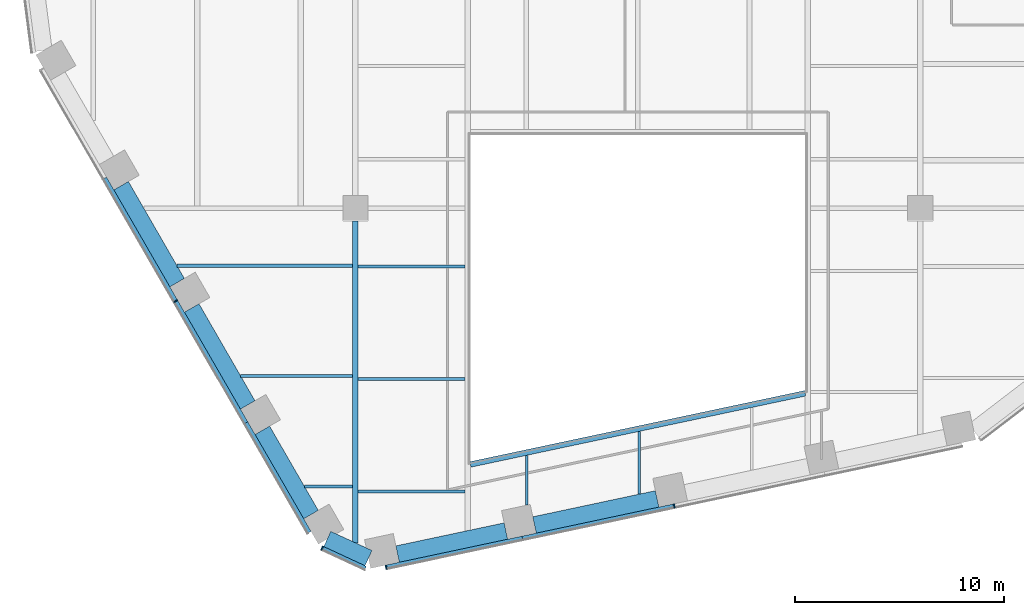
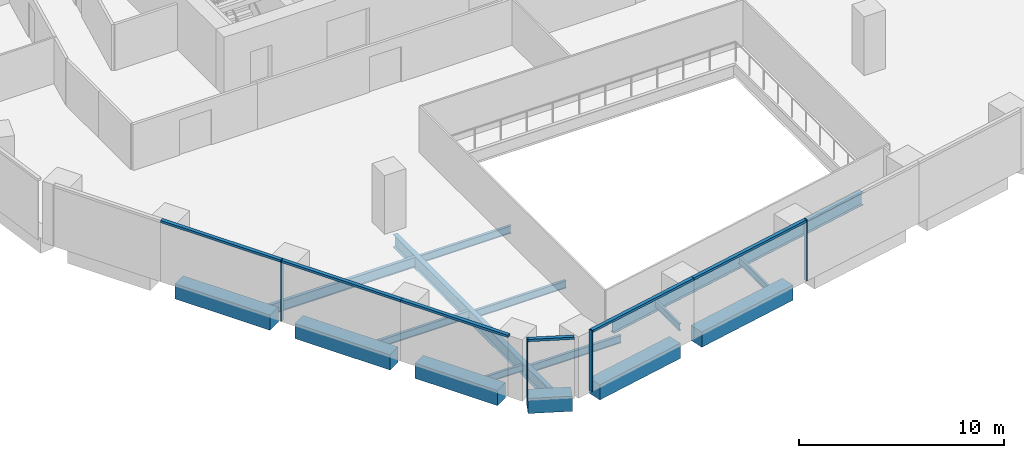
# One storey, part 2 of 16: 16 beams, 10 members, 3 elements without a shape of their own.
"""IFC4 building model written with IfcOpenShell, lengths in metres."""

from ifc_helpers import new_model, si_unit, direction, frame, origin, origin_2d, place, context, subcontext, project, spatial, rectangle, i_section, extrude, material, layer, layer_set, material_profile, profile_set, type_object, element, aggregate, save


model = new_model("IFC4")

# Units and contexts
model_context = context("Model", 3, precision=1e-05, world=origin(), true_north=direction((0.0, 1.0)))
body_context = subcontext(model_context, "Body", "Model", "MODEL_VIEW")
ifc_project = project(units=[si_unit("LENGTHUNIT", "METRE"), si_unit("AREAUNIT", "SQUARE_METRE"), si_unit("VOLUMEUNIT", "CUBIC_METRE"), si_unit("PLANEANGLEUNIT", "RADIAN"), si_unit("MASSUNIT", "GRAM", prefix="KILO")], contexts=[model_context])

# Site, building, storey
site_placement = place(None, origin())
site = spatial("IfcSite", under=ifc_project, at=site_placement, CompositionType="ELEMENT")
building_placement = place(site_placement, origin())
building = spatial("IfcBuilding", under=site, at=building_placement, Name="Isthmus Gate Tower", CompositionType="ELEMENT")
storey_placement = place(building_placement, frame((0.0, 0.0, 140.75)))
storey = spatial("IfcBuildingStorey", under=building, at=storey_placement, Name="L34", CompositionType="ELEMENT", Elevation=140.75)

# Curtain wall, member
ifc_material_1 = material(Name="Aluminium, pale champagne anodised", Category="aluminium")
ifc_layer = layer(ifc_material_1, 0.199951171875)
ifc_layer_set = layer_set([ifc_layer], Name="CW-1 UNITISED CURTAIN WALL 200 DEEP")
curtain_wall_type = type_object("IfcCurtainWallType", Name="CW-1 UNITISED CURTAIN WALL 200 DEEP", PredefinedType="NOTDEFINED", material=ifc_layer_set)
curtain_wall_1_placement = place(storey_placement, origin())
curtain_wall_1 = element("IfcCurtainWall", 1, at=curtain_wall_1_placement, inside=storey, type_object=curtain_wall_type, Name="CW-1 SW L34", PredefinedType="NOTDEFINED")
ifc_material_2 = material(Name="Aluminium, pale champagne anodised", Category="aluminium")
ifc_material_profile_1 = material_profile(ifc_material_2, rectangle(XDim=0.06005859375, YDim=0.199951171875, at=origin_2d()), Name="60x200")
ifc_profile_set_1 = profile_set([ifc_material_profile_1], Name="Aluminium, pale champagne anodised")
member_type_1 = type_object("IfcMemberType", Name="CW-1 MULLION 60 X 200", PredefinedType="MULLION", material=ifc_profile_set_1)
member_1_placement = place(storey_placement, frame((-22.08935546875, -17.93994140625, 0.0), z_axis=(0.0, 0.0, 1.0), x_axis=(0.5, -0.866025403784, 0.0)))
member_1 = element("IfcMember", 2, at=member_1_placement, type_object=member_type_1, Name="CW-1 mullion", PredefinedType="MULLION", context=body_context, shape_type="SweptSolid", body=[
    extrude(rectangle(XDim=0.06005859375, YDim=0.199951171875, at=origin_2d()), origin(), (0.0, 0.0, 1.0), 3.64990234375),
])

curtain_wall_2_placement = place(storey_placement, origin())
curtain_wall_2 = element("IfcCurtainWall", 3, at=curtain_wall_2_placement, inside=storey, type_object=curtain_wall_type, Name="CW-1 SW-S L34", PredefinedType="NOTDEFINED")
member_2_placement = place(storey_placement, frame((-15.091064453125, -29.74755859375, 0.0), z_axis=(0.0, 0.0, 1.0), x_axis=(0.907256261367, -0.420578264073, 0.0)))
member_2 = element("IfcMember", 4, at=member_2_placement, type_object=member_type_1, Name="CW-1 mullion", PredefinedType="MULLION", context=body_context, shape_type="SweptSolid", body=[
    extrude(rectangle(XDim=0.06005859375, YDim=0.199951171875, at=origin_2d()), origin(), (0.0, 0.0, 1.0), 3.64990234375),
])

# Curtain wall, members
curtain_wall_3_placement = place(storey_placement, origin())
curtain_wall_3 = element("IfcCurtainWall", 5, at=curtain_wall_3_placement, inside=storey, type_object=curtain_wall_type, Name="CW-1 S L34", PredefinedType="NOTDEFINED")
member_3_placement = place(storey_placement, frame((-12.03369140625, -30.66015625, 0.0), z_axis=(0.0, 0.0, 1.0), x_axis=(0.978147600734, 0.207911690818, 0.0)))
member_3 = element("IfcMember", 6, at=member_3_placement, type_object=member_type_1, Name="CW-1 mullion", PredefinedType="MULLION", context=body_context, shape_type="SweptSolid", body=[
    extrude(rectangle(XDim=0.06005859375, YDim=0.199951171875, at=origin_2d()), origin(), (0.0, 0.0, 1.0), 3.64990234375),
])
member_4_placement = place(storey_placement, frame((1.740234375, -27.732421875, 0.0), z_axis=(0.0, 0.0, 1.0), x_axis=(0.978147600734, 0.207911690818, 0.0)))
member_4 = element("IfcMember", 7, at=member_4_placement, type_object=member_type_1, Name="CW-1 mullion", PredefinedType="MULLION", context=body_context, shape_type="SweptSolid", body=[
    extrude(rectangle(XDim=0.06005859375, YDim=0.199951171875, at=origin_2d()), origin(), (0.0, 0.0, 1.0), 3.64990234375),
])

# Member
ifc_material_3 = material(Name="Aluminium, pale champagne anodised", Category="aluminium")
ifc_material_profile_2 = material_profile(ifc_material_3, rectangle(XDim=0.199951171875, YDim=0.139892578125, at=origin_2d()), Name="200x140")
ifc_profile_set_2 = profile_set([ifc_material_profile_2], Name="Aluminium, pale champagne anodised")
member_type_2 = type_object("IfcMemberType", Name="CW-1 TRANSOM 200 X 140", PredefinedType="USERDEFINED", material=ifc_profile_set_2)
member_5_placement = place(storey_placement, frame((-25.4794921875, -12.068115234375, 3.580078125), z_axis=(0.49998230858, -0.86603561769, 0.0), x_axis=(0.86603561769, 0.49998230858, 0.0)))
member_5 = element("IfcMember", 8, at=member_5_placement, type_object=member_type_2, Name="CW-1 transom", ObjectType="TRANSOM", PredefinedType="USERDEFINED", context=body_context, shape_type="SweptSolid", body=[
    extrude(rectangle(XDim=0.199951171875, YDim=0.139892578125, at=origin_2d()), origin(), (0.0, 0.0, 1.0), 6.750244140625),
])

member_6_placement = place(storey_placement, frame((-22.074462890625, -17.9658203125, 3.580078125), z_axis=(0.499981482168, -0.866036094796, 0.0), x_axis=(0.866036094796, 0.499981482168, 0.0)))
member_6 = element("IfcMember", 9, at=member_6_placement, type_object=member_type_2, Name="CW-1 transom", ObjectType="TRANSOM", PredefinedType="USERDEFINED", context=body_context, shape_type="SweptSolid", body=[
    extrude(rectangle(XDim=0.199951171875, YDim=0.139892578125, at=origin_2d()), origin(), (0.0, 0.0, 1.0), 6.690185546875),
])

member_7_placement = place(storey_placement, frame((-18.7294921875, -23.759765625, 3.580078125), z_axis=(0.50001470477, -0.866016913815, 0.0), x_axis=(0.866016913815, 0.50001470477, 0.0)))
member_7 = element("IfcMember", 10, at=member_7_placement, type_object=member_type_2, Name="CW-1 transom", ObjectType="TRANSOM", PredefinedType="USERDEFINED", context=body_context, shape_type="SweptSolid", body=[
    extrude(rectangle(XDim=0.199951171875, YDim=0.139892578125, at=origin_2d()), origin(), (0.0, 0.0, 1.0), 6.050048828125),
])

aggregate(curtain_wall_1, [member_5, member_1, member_6, member_7])

member_8_placement = place(storey_placement, frame((-15.06396484375, -29.76025390625, 3.580078125), z_axis=(0.907246225564, -0.420599912268, 0.0), x_axis=(0.420599912268, 0.907246225564, 0.0)))
member_8 = element("IfcMember", 11, at=member_8_placement, type_object=member_type_2, Name="CW-1 transom", ObjectType="TRANSOM", PredefinedType="USERDEFINED", context=body_context, shape_type="SweptSolid", body=[
    extrude(rectangle(XDim=0.199951171875, YDim=0.139892578125, at=origin_2d()), origin(), (0.0, 0.0, 1.0), 2.258544921875),
])

aggregate(curtain_wall_2, [member_2, member_8])

member_9_placement = place(storey_placement, frame((-12.00439453125, -30.65380859375, 3.580078125), z_axis=(0.97814593552, 0.207919524877, 0.0), x_axis=(-0.207919524877, 0.97814593552, 0.0)))
member_9 = element("IfcMember", 12, at=member_9_placement, type_object=member_type_2, Name="CW-1 transom", ObjectType="TRANSOM", PredefinedType="USERDEFINED", context=body_context, shape_type="SweptSolid", body=[
    extrude(rectangle(XDim=0.199951171875, YDim=0.139892578125, at=origin_2d()), origin(), (0.0, 0.0, 1.0), 6.630859375),
])

member_10_placement = place(storey_placement, frame((-5.5185546875, -29.275146484375, 3.580078125), z_axis=(0.978147683684, 0.207911300568, 0.0), x_axis=(-0.207911300568, 0.978147683684, 0.0)))
member_10 = element("IfcMember", 13, at=member_10_placement, type_object=member_type_2, Name="CW-1 transom", ObjectType="TRANSOM", PredefinedType="USERDEFINED", context=body_context, shape_type="SweptSolid", body=[
    extrude(rectangle(XDim=0.199951171875, YDim=0.139892578125, at=origin_2d()), origin(), (0.0, 0.0, 1.0), 7.390869140625),
])

aggregate(curtain_wall_3, [member_3, member_9, member_10, member_4])

# Beams
ifc_material_4 = material(Name="Concrete f'c 60 MPa", Category="concrete")
ifc_material_profile_3 = material_profile(ifc_material_4, rectangle(XDim=0.800048828125, YDim=0.89990234375, at=origin_2d()), Name="RC 800X900")
ifc_profile_set_3 = profile_set([ifc_material_profile_3], Name="Concrete f'c 60 MPa")
beam_type_1 = type_object("IfcBeamType", Name="RC SPANDREL 800 X 900", PredefinedType="SPANDREL", material=ifc_profile_set_3)
beam_1_placement = place(storey_placement, frame((0.922119140625, -27.39501953125, -0.449951171875), z_axis=(-0.978145798872, -0.20792016773, 0.0), x_axis=(0.20792016773, -0.978145798872, 0.0)))
element("IfcBeam", 14, at=beam_1_placement, inside=storey, type_object=beam_type_1, Name="str-spandrel-L34-13", PredefinedType="SPANDREL", context=body_context, shape_type="SweptSolid", body=[
    extrude(rectangle(XDim=0.800048828125, YDim=0.89990234375, at=origin_2d()), origin(), (0.0, 0.0, 1.0), 5.99072265625),
])
beam_2_placement = place(storey_placement, frame((-6.30712890625, -28.931640625, -0.449951171875), z_axis=(-0.978145479826, -0.207921668653, 0.0), x_axis=(0.207921668653, -0.978145479826, 0.0)))
element("IfcBeam", 15, at=beam_2_placement, inside=storey, type_object=beam_type_1, Name="str-spandrel-L34-14", PredefinedType="SPANDREL", context=body_context, shape_type="SweptSolid", body=[
    extrude(rectangle(XDim=0.800048828125, YDim=0.89990234375, at=origin_2d()), origin(), (0.0, 0.0, 1.0), 5.291015625),
])
beam_3_placement = place(storey_placement, frame((-12.87255859375, -30.224853515625, -0.449951171875), z_axis=(-0.907290744498, 0.420503870314, 0.0), x_axis=(-0.420503870314, -0.907290744498, 0.0)))
element("IfcBeam", 16, at=beam_3_placement, inside=storey, type_object=beam_type_1, Name="str-spandrel-L34-15", PredefinedType="SPANDREL", context=body_context, shape_type="SweptSolid", body=[
    extrude(rectangle(XDim=0.800048828125, YDim=0.89990234375, at=origin_2d()), origin(), (0.0, 0.0, 1.0), 2.173095703125),
])
beam_4_placement = place(storey_placement, frame((-15.621337890625, -28.14306640625, -0.449951171875), z_axis=(-0.499984536904, 0.866034331223, 0.0), x_axis=(-0.866034331223, -0.499984536904, 0.0)))
element("IfcBeam", 17, at=beam_4_placement, inside=storey, type_object=beam_type_1, Name="str-spandrel-L34-16", PredefinedType="SPANDREL", context=body_context, shape_type="SweptSolid", body=[
    extrude(rectangle(XDim=0.800048828125, YDim=0.89990234375, at=origin_2d()), origin(), (0.0, 0.0, 1.0), 4.650146484375),
])
for number, where, z_axis, x_axis, name in (
    (18, (-18.646484375, -22.903564453125, -0.449951171875), (-0.500001594578, 0.866024483152, 0.0), (-0.866024483152, -0.500001594578, 0.0), "str-spandrel-L34-17"),
    (19, (-22.021484375, -17.0576171875, -0.449951171875), (-0.500001594578, 0.866024483152, 0.0), (-0.866024483152, -0.500001594578, 0.0), "str-spandrel-L34-18"),
):
    element("IfcBeam", number, at=place(storey_placement, frame(where, z_axis=z_axis, x_axis=x_axis)), inside=storey, type_object=beam_type_1, Name=name, PredefinedType="SPANDREL", context=body_context, shape_type="SweptSolid", body=[
        extrude(rectangle(XDim=0.800048828125, YDim=0.89990234375, at=origin_2d()), origin(), (0.0, 0.0, 1.0), 5.35009765625),
    ])
ifc_material_5 = material(Name="Structural steel ASTM A992 Gr 50", Category="steel")
ifc_material_profile_4 = material_profile(ifc_material_5, i_section(OverallWidth=0.1396484375, OverallDepth=0.4033203125, WebThickness=0.00634765625, FlangeThickness=0.010986328125, at=origin_2d()), Name="W16X31")
ifc_profile_set_4 = profile_set([ifc_material_profile_4], Name="Structural steel ASTM A992 Gr 50")
beam_type_2 = type_object("IfcBeamType", Name="STEEL FLOOR BEAM W16X31", PredefinedType="JOIST", material=ifc_profile_set_4)
beam_5_placement = place(storey_placement, frame((-15.937744140625, -26.795166015625, -0.3515625), z_axis=(1.0, 0.0, 0.0), x_axis=(0.0, 1.0, 0.0)))
element("IfcBeam", 20, at=beam_5_placement, inside=storey, type_object=beam_type_2, Name="str-beam-L34-02-00", PredefinedType="JOIST", context=body_context, shape_type="SweptSolid", body=[
    extrude(i_section(OverallWidth=0.1396484375, OverallDepth=0.4033203125, WebThickness=0.00634765625, FlangeThickness=0.010986328125, at=origin_2d()), origin(), (0.0, 0.0, 1.0), 2.304443359375),
])
beam_6_placement = place(storey_placement, frame((-5.311279296875, -27.69775390625, -0.3515625), z_axis=(0.0, 1.0, 0.0), x_axis=(-1.0, 0.0, 0.0)))
element("IfcBeam", 21, at=beam_6_placement, inside=storey, type_object=beam_type_2, Name="str-beam-L34-07-00", PredefinedType="JOIST", context=body_context, shape_type="SweptSolid", body=[
    extrude(i_section(OverallWidth=0.1396484375, OverallDepth=0.4033203125, WebThickness=0.00634765625, FlangeThickness=0.010986328125, at=origin_2d()), origin(), (0.0, 0.0, 1.0), 2.385498046875),
])
beam_7_placement = place(storey_placement, frame((0.06591796875, -27.168212890625, -0.3515625), z_axis=(0.0, 1.0, 0.0), x_axis=(-1.0, 0.0, 0.0)))
element("IfcBeam", 22, at=beam_7_placement, inside=storey, type_object=beam_type_2, Name="str-beam-L34-07-01", PredefinedType="JOIST", context=body_context, shape_type="SweptSolid", body=[
    extrude(i_section(OverallWidth=0.1396484375, OverallDepth=0.4033203125, WebThickness=0.00634765625, FlangeThickness=0.010986328125, at=origin_2d()), origin(), (0.0, 0.0, 1.0), 2.9990234375),
])
ifc_material_6 = material(Name="Structural steel ASTM A992 Gr 50", Category="steel")
ifc_material_profile_5 = material_profile(ifc_material_6, i_section(OverallWidth=0.15234375, OverallDepth=0.45068359375, WebThickness=0.0078125, FlangeThickness=0.010986328125, at=origin_2d()), Name="W18X35")
ifc_profile_set_5 = profile_set([ifc_material_profile_5], Name="Structural steel ASTM A992 Gr 50")
beam_type_3 = type_object("IfcBeamType", Name="STEEL FLOOR BEAM W18X35", PredefinedType="JOIST", material=ifc_profile_set_5)
beam_8_placement = place(storey_placement, frame((-18.981689453125, -21.52294921875, -0.37548828125), z_axis=(1.0, 0.0, 0.0), x_axis=(0.0, 1.0, 0.0)))
element("IfcBeam", 23, at=beam_8_placement, inside=storey, type_object=beam_type_3, Name="str-beam-L34-02-01", PredefinedType="JOIST", context=body_context, shape_type="SweptSolid", body=[
    extrude(i_section(OverallWidth=0.15234375, OverallDepth=0.45068359375, WebThickness=0.0078125, FlangeThickness=0.010986328125, at=origin_2d()), origin(), (0.0, 0.0, 1.0), 5.348388671875),
])
for number, where, z_axis, x_axis, name in (
    (24, (-13.36669921875, -27.04736328125, -0.37548828125), (1.0, 0.0, 0.0), (0.0, 1.0, 0.0), "str-beam-L34-03-00"),
    (25, (-13.36669921875, -21.67041015625, -0.37548828125), (1.0, 0.0, 0.0), (0.0, 1.0, 0.0), "str-beam-L34-03-01"),
    (26, (-13.36669921875, -16.293212890625, -0.37548828125), (1.0, 0.0, 0.0), (0.0, 1.0, 0.0), "str-beam-L34-03-02"),
):
    element("IfcBeam", number, at=place(storey_placement, frame(where, z_axis=z_axis, x_axis=x_axis)), inside=storey, type_object=beam_type_3, Name=name, PredefinedType="JOIST", context=body_context, shape_type="SweptSolid", body=[
        extrude(i_section(OverallWidth=0.15234375, OverallDepth=0.45068359375, WebThickness=0.0078125, FlangeThickness=0.010986328125, at=origin_2d()), origin(), (0.0, 0.0, 1.0), 5.10009765625),
    ])
ifc_material_7 = material(Name="Structural steel ASTM A992 Gr 50", Category="steel")
ifc_material_profile_6 = material_profile(ifc_material_7, i_section(OverallWidth=0.177734375, OverallDepth=0.60009765625, WebThickness=0.009521484375, FlangeThickness=0.0126953125, at=origin_2d()), Name="W24X55")
ifc_profile_set_6 = profile_set([ifc_material_profile_6], Name="Structural steel ASTM A992 Gr 50")
beam_type_4 = type_object("IfcBeamType", Name="STEEL FLOOR BEAM W24X55", PredefinedType="JOIST", material=ifc_profile_set_6)
beam_9_placement = place(storey_placement, frame((-22.025634765625, -16.25048828125, -0.449951171875), z_axis=(1.0, 0.0, 0.0), x_axis=(0.0, 1.0, 0.0)))
element("IfcBeam", 27, at=beam_9_placement, inside=storey, type_object=beam_type_4, Name="str-beam-L34-02-02", PredefinedType="JOIST", context=body_context, shape_type="SweptSolid", body=[
    extrude(i_section(OverallWidth=0.177734375, OverallDepth=0.60009765625, WebThickness=0.009521484375, FlangeThickness=0.0126953125, at=origin_2d()), origin(), (0.0, 0.0, 1.0), 8.392333984375),
])
ifc_material_8 = material(Name="Structural steel ASTM A992 Gr 50", Category="steel")
ifc_material_profile_7 = material_profile(ifc_material_8, i_section(OverallWidth=0.2666015625, OverallDepth=0.7587890625, WebThickness=0.014404296875, FlangeThickness=0.01904296875, at=origin_2d()), Name="W30X108")
ifc_profile_set_7 = profile_set([ifc_material_profile_7], Name="Structural steel ASTM A992 Gr 50")
beam_type_5 = type_object("IfcBeamType", Name="STEEL GIRDER W30X108", PredefinedType="BEAM", material=ifc_profile_set_7)
beam_10_placement = place(storey_placement, frame((-13.5, -29.4931640625, -0.529296875), z_axis=(0.0, 1.0, 0.0), x_axis=(-1.0, 0.0, 0.0)))
element("IfcBeam", 28, at=beam_10_placement, inside=storey, type_object=beam_type_5, Name="str-girder-L34-07", PredefinedType="BEAM", context=body_context, shape_type="SweptSolid", body=[
    extrude(i_section(OverallWidth=0.2666015625, OverallDepth=0.7587890625, WebThickness=0.014404296875, FlangeThickness=0.01904296875, at=origin_2d()), origin(), (0.0, 0.0, 1.0), 15.39306640625),
])
ifc_material_9 = material(Name="Structural steel ASTM A992 Gr 50", Category="steel")
ifc_material_profile_8 = material_profile(ifc_material_9, i_section(OverallWidth=0.2666015625, OverallDepth=0.7587890625, WebThickness=0.014404296875, FlangeThickness=0.01904296875, at=origin_2d()), Name="W30X108")
ifc_profile_set_8 = profile_set([ifc_material_profile_8], Name="Structural steel ASTM A992 Gr 50")
beam_type_6 = type_object("IfcBeamType", Name="STEEL TRIMMER W30X108", PredefinedType="BEAM", material=ifc_profile_set_8)
beam_11_placement = place(storey_placement, frame((-8.0, -25.747314453125, -0.529296875), z_axis=(0.978147924985, 0.20791016533, 0.0), x_axis=(-0.20791016533, 0.978147924985, 0.0)))
element("IfcBeam", 29, at=beam_11_placement, inside=storey, type_object=beam_type_6, Name="str-trimmer-L34-03", PredefinedType="BEAM", context=body_context, shape_type="SweptSolid", body=[
    extrude(i_section(OverallWidth=0.2666015625, OverallDepth=0.7587890625, WebThickness=0.014404296875, FlangeThickness=0.01904296875, at=origin_2d()), origin(), (0.0, 0.0, 1.0), 16.357421875),
])

save(model, "model.ifc")
